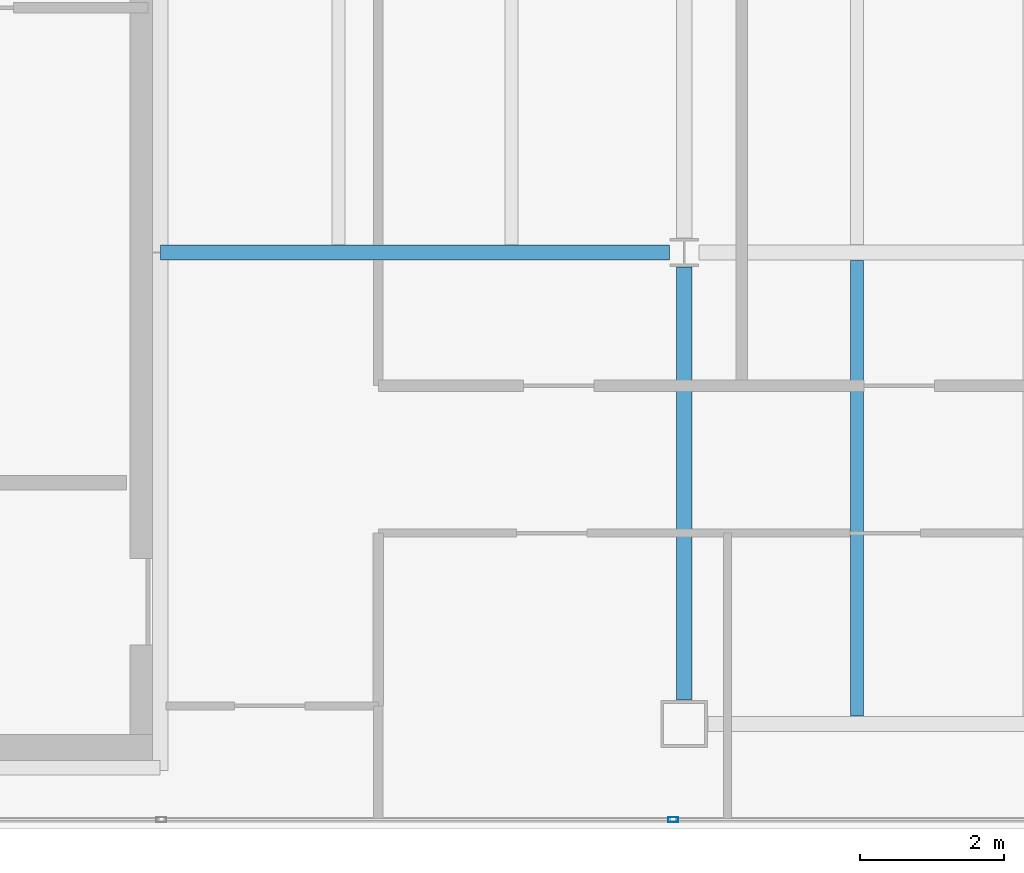
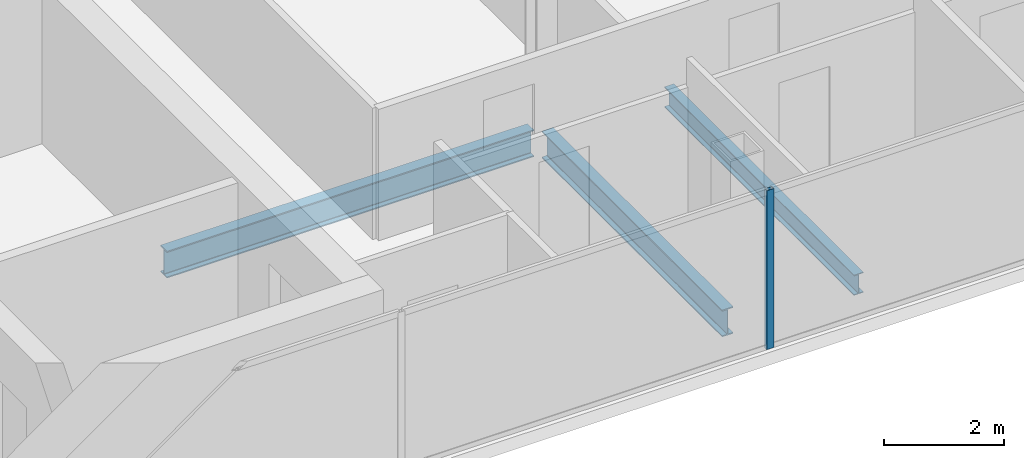
# One storey, part 5 of 24: 3 beams, 1 member, 1 element without a shape of its own.
"""IFC4 building model written with IfcOpenShell, lengths in metres."""

from ifc_helpers import new_model, si_unit, direction, frame, origin, origin_2d, place, context, subcontext, project, spatial, hollow_rectangle, i_section, extrude, material, material_profile, profile_set, type_object, element, aggregate, save


model = new_model("IFC4")

# Units and contexts
model_context = context("Model", 3, precision=1e-05, world=origin(), true_north=direction((0.0, 1.0)))
body_context = subcontext(model_context, "Body", "Model", "MODEL_VIEW")
ifc_project = project(units=[si_unit("LENGTHUNIT", "METRE"), si_unit("AREAUNIT", "SQUARE_METRE"), si_unit("VOLUMEUNIT", "CUBIC_METRE"), si_unit("PLANEANGLEUNIT", "RADIAN"), si_unit("MASSUNIT", "GRAM", prefix="KILO")], contexts=[model_context])

# Site, building, storey
site_placement = place(None, origin())
site = spatial("IfcSite", under=ifc_project, at=site_placement, CompositionType="ELEMENT")
building_placement = place(site_placement, origin())
building = spatial("IfcBuilding", under=site, at=building_placement, Name="Cobrela Telecom Tower", CompositionType="ELEMENT")
storey_placement = place(building_placement, frame((0.0, 0.0, 290.14990234375)))
storey = spatial("IfcBuildingStorey", under=building, at=storey_placement, Name="L76", CompositionType="ELEMENT", Elevation=290.14990234375)

# Beams
ifc_material_1 = material(Name="Steel ASTM A992 Grade 50", Category="steel")
ifc_material_profile_1 = material_profile(ifc_material_1, i_section(OverallWidth=0.212890625, OverallDepth=0.549072265625, WebThickness=0.0146484375, FlangeThickness=0.023681640625, FilletRadius=0.013916015625, at=origin_2d()), Name="W21X93")
ifc_profile_set_1 = profile_set([ifc_material_profile_1], Name="Steel ASTM A992 Grade 50")
beam_type_1 = type_object("IfcBeamType", Name="BM-GIRD-08", PredefinedType="USERDEFINED", material=ifc_profile_set_1)
beam_1_placement = place(storey_placement, frame((14.324951171875, 14.39990234375, -0.534423828125), z_axis=(1.0, 0.0, 0.0), x_axis=(0.0, 1.0, 0.0)))
element("IfcBeam", 1, at=beam_1_placement, inside=storey, type_object=beam_type_1, Name="L76 Primary Girder X05", ObjectType="GIRDER", PredefinedType="USERDEFINED", context=body_context, shape_type="SweptSolid", body=[
    extrude(i_section(OverallWidth=0.212890625, OverallDepth=0.549072265625, WebThickness=0.0146484375, FlangeThickness=0.023681640625, FilletRadius=0.013916015625, at=origin_2d()), origin(), (0.0, 0.0, 1.0), 7.070556640625),
])
beam_2_placement = place(storey_placement, frame((21.60009765625, 8.179931640625, -0.534423828125), z_axis=(0.0, 1.0, 0.0), x_axis=(-1.0, 0.0, 0.0)))
element("IfcBeam", 2, at=beam_2_placement, inside=storey, type_object=beam_type_1, Name="L76 Primary Girder Y27", ObjectType="GIRDER", PredefinedType="USERDEFINED", context=body_context, shape_type="SweptSolid", body=[
    extrude(i_section(OverallWidth=0.212890625, OverallDepth=0.549072265625, WebThickness=0.0146484375, FlangeThickness=0.023681640625, FilletRadius=0.013916015625, at=origin_2d()), origin(), (0.0, 0.0, 1.0), 6.015625),
])
ifc_material_profile_2 = material_profile(ifc_material_1, i_section(OverallWidth=0.179931640625, OverallDepth=0.4169921875, WebThickness=0.010986328125, FlangeThickness=0.01806640625, FilletRadius=0.011962890625, at=origin_2d()), Name="W16X57")
ifc_profile_set_2 = profile_set([ifc_material_profile_2], Name="Steel ASTM A992 Grade 50")
beam_type_2 = type_object("IfcBeamType", Name="BM-JOIST-04", PredefinedType="JOIST", material=ifc_profile_set_2)
beam_3_placement = place(storey_placement, frame((24.0, 7.96142578125, -0.468505859375), z_axis=(0.0, 1.0, 0.0), x_axis=(-1.0, 0.0, 0.0)))
element("IfcBeam", 3, at=beam_3_placement, inside=storey, type_object=beam_type_2, Name="L76 Secondary Composite Floor Beam J07", PredefinedType="JOIST", context=body_context, shape_type="SweptSolid", body=[
    extrude(i_section(OverallWidth=0.179931640625, OverallDepth=0.4169921875, WebThickness=0.010986328125, FlangeThickness=0.01806640625, FilletRadius=0.011962890625, at=origin_2d()), origin(), (0.0, 0.0, 1.0), 6.3271484375),
])

# Curtain wall, member
ifc_material_2 = material(Name="Anodized Bronze Aluminium 6063-T6", Category="aluminium")
curtain_wall_type = type_object("IfcCurtainWallType", Name="CW-SYS-OFF-HI", PredefinedType="USERDEFINED", material=ifc_material_2)
curtain_wall_placement = place(storey_placement, origin())
curtain_wall = element("IfcCurtainWall", 4, at=curtain_wall_placement, inside=storey, type_object=curtain_wall_type, Name="L76 Unitised Bronze Curtain Wall 15", ObjectType="UNITISED CURTAIN WALL", PredefinedType="USERDEFINED")
ifc_material_profile_3 = material_profile(ifc_material_2, hollow_rectangle(XDim=0.070068359375, YDim=0.139892578125, WallThickness=0.00390625, at=origin_2d()), Name="ALU 70x140x4")
ifc_profile_set_3 = profile_set([ifc_material_profile_3], Name="Anodized Bronze Aluminium 6063-T6")
member_type = type_object("IfcMemberType", Name="CW-SYS-OFF-HI-MUL", PredefinedType="MULLION", material=ifc_profile_set_3)
member_placement = place(storey_placement, frame((21.445068359375, 6.52001953125, 0.0), z_axis=(0.0, 0.0, 1.0), x_axis=(0.0, -1.0, 0.0)))
member = element("IfcMember", 5, at=member_placement, type_object=member_type, Name="CW-OFF-HI mullion 4", PredefinedType="MULLION", context=body_context, shape_type="SweptSolid", body=[
    extrude(hollow_rectangle(XDim=0.070068359375, YDim=0.139892578125, WallThickness=0.00390625, at=origin_2d()), origin(), (0.0, 0.0, 1.0), 3.239990234375),
])
aggregate(curtain_wall, [member])

save(model, "model.ifc")
